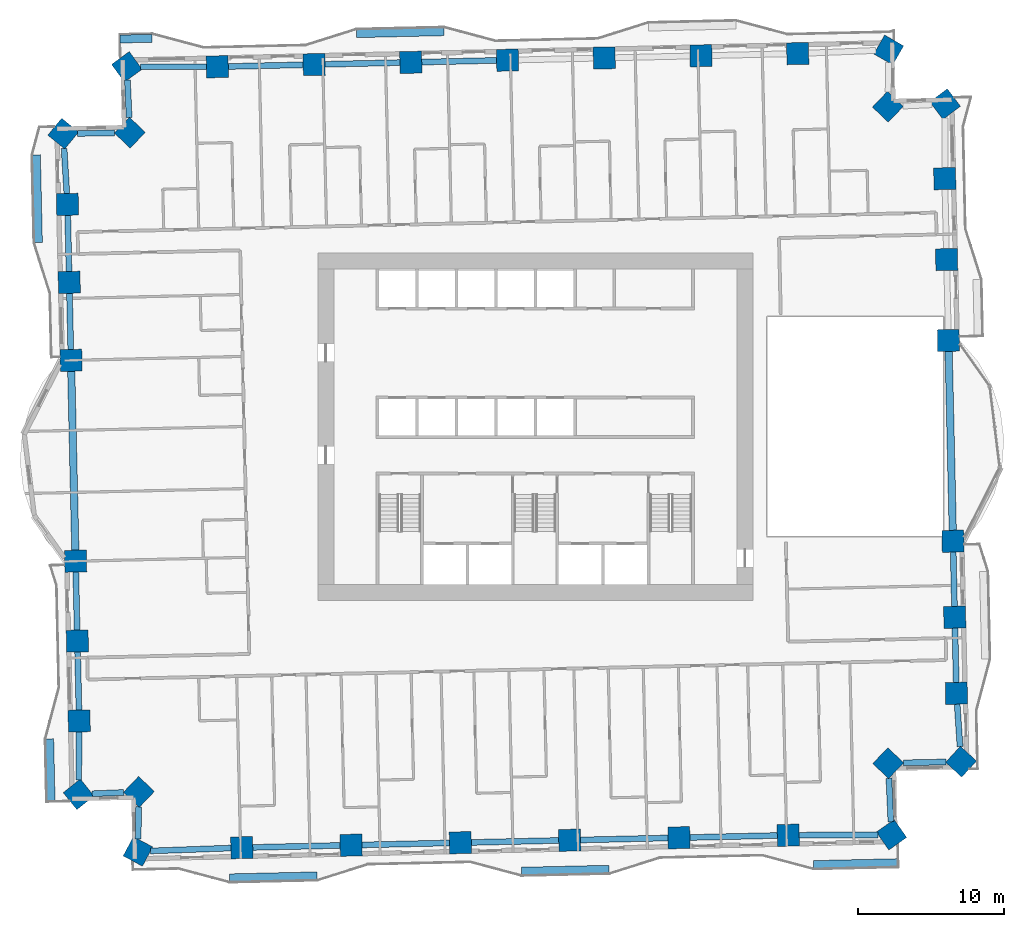
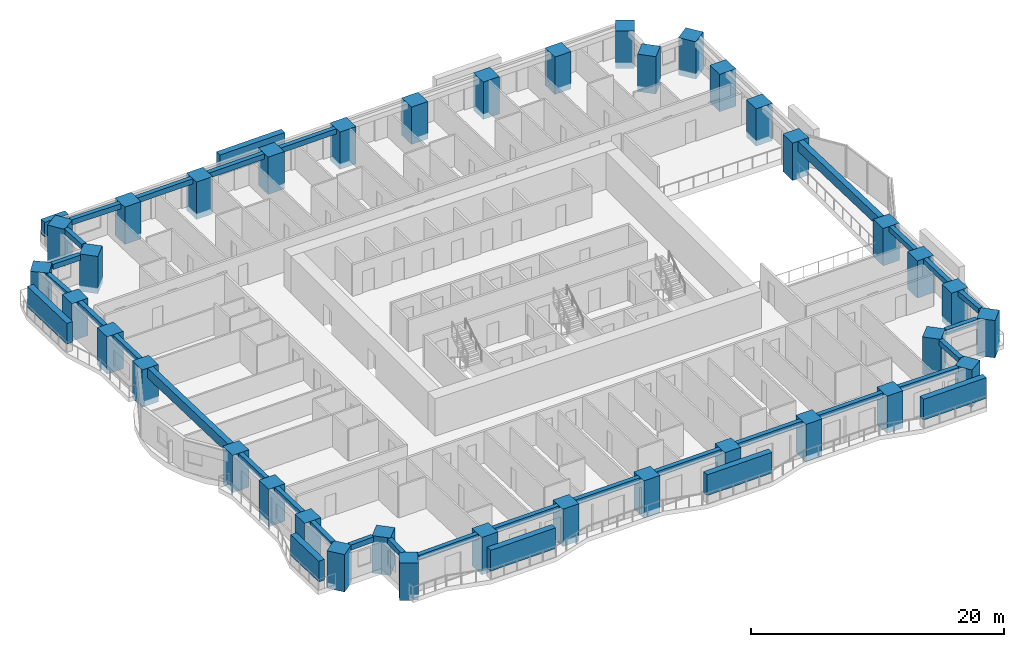
# One storey, part 1 of 16: 37 columns, 28 beams, 7 members.
"""IFC4 building model written with IfcOpenShell, lengths in metres."""

from ifc_helpers import new_model, si_unit, direction, frame, origin, origin_2d, place, context, subcontext, project, spatial, rectangle, extrude, material, material_profile, profile_set, type_object, element, save


model = new_model("IFC4")

# Units and contexts
model_context = context("Model", 3, precision=1e-05, world=origin(), true_north=direction((0.0, 1.0)))
body_context = subcontext(model_context, "Body", "Model", "MODEL_VIEW")
ifc_project = project(units=[si_unit("LENGTHUNIT", "METRE"), si_unit("AREAUNIT", "SQUARE_METRE"), si_unit("VOLUMEUNIT", "CUBIC_METRE"), si_unit("PLANEANGLEUNIT", "RADIAN"), si_unit("MASSUNIT", "GRAM", prefix="KILO")], contexts=[model_context])

# Site, building, storey
site_placement = place(None, origin())
site = spatial("IfcSite", under=ifc_project, at=site_placement, CompositionType="ELEMENT")
building_placement = place(site_placement, origin())
building = spatial("IfcBuilding", under=site, at=building_placement, Name="Mangrove Gate Tower", CompositionType="ELEMENT")
storey_placement = place(building_placement, frame((0.0, 0.0, 48.5)))
storey = spatial("IfcBuildingStorey", under=building, at=storey_placement, Name="L11", CompositionType="ELEMENT", Elevation=48.5)

# Columns
ifc_material_1 = material(Name="Concrete C70/85", Category="concrete")
ifc_material_profile_1 = material_profile(ifc_material_1, rectangle(XDim=1.5, YDim=1.5, at=origin_2d()))
ifc_profile_set_1 = profile_set([ifc_material_profile_1], Name="Concrete C70/85")
column_type = type_object("IfcColumnType", Name="Column RC 1500x1500 C70/85", PredefinedType="COLUMN", material=ifc_profile_set_1)
for number, where, z_axis, x_axis, name in (
    (1, (-31.486083984375, -9.205078125, -0.550048828125), (0.0, 0.0, 1.0), (0.022677684385, -0.999742828247, 0.0), "Column L11 W06"),
    (2, (-31.3623046875, -14.678955078125, -0.550048828125), (0.0, 0.0, 1.0), (0.022648789156, -0.999743483274, 0.0), "Column L11 W07"),
    (3, (-31.23828125, -20.15185546875, -0.550048828125), (0.0, 0.0, 1.0), (0.022740081264, -0.999741410918, 0.0), "Column L11 W08"),
    (4, (-31.2783203125, -25.173095703125, -0.550048828125), (0.0, 0.0, 1.0), (0.626513761853, -0.779410358033, 0.0), "Column L11 W09"),
    (5, (-27.14697265625, -25.004638671875, -0.550048828125), (0.0, 0.0, 1.0), (0.723003777622, -0.690844076144, 0.0), "Column L11 W10"),
    (6, (-27.217041015625, -29.083740234375, -0.550048828125), (0.0, 0.0, 1.0), (0.88296485665, -0.469439092877, 0.0), "Column L11 S01"),
    (7, (-20.10205078125, -28.8271484375, -0.550048828125), (0.0, 0.0, 1.0), (0.999743591179, 0.022644025629, 0.0), "Column L11 S02"),
    (8, (-12.619140625, -28.6572265625, -0.550048828125), (0.0, 0.0, 1.0), (0.999742076866, 0.022710784754, 0.0), "Column L11 S03"),
    (9, (-5.135009765625, -28.4873046875, -0.550048828125), (0.0, 0.0, 1.0), (0.999742111349, 0.022709266709, 0.0), "Column L11 S04"),
    (10, (2.348876953125, -28.317138671875, -0.550048828125), (0.0, 0.0, 1.0), (0.999742111349, 0.022709266709, 0.0), "Column L11 S05"),
    (11, (9.8330078125, -28.147216796875, -0.550048828125), (0.0, 0.0, 1.0), (0.999742076866, 0.022710784754, 0.0), "Column L11 S06"),
    (12, (17.31591796875, -27.977294921875, -0.550048828125), (0.0, 0.0, 1.0), (0.999743591179, 0.022644025629, 0.0), "Column L11 S07"),
    (13, (24.386474609375, -27.94384765625, -0.550048828125), (0.0, 0.0, 1.0), (0.818798537757, 0.574080965166, 0.0), "Column L11 S08"),
    (14, (24.161865234375, -23.040771484375, -0.550048828125), (0.0, 0.0, 1.0), (0.690875836988, 0.722973428188, 0.0), "Column L11 E01"),
    (15, (29.150390625, -22.93798828125, -0.550048828125), (0.0, 0.0, 1.0), (0.675975496551, 0.736924099255, 0.0), "Column L11 E02"),
    (16, (28.834228515625, -18.256103515625, -0.550048828125), (0.0, 0.0, 1.0), (-0.022754110081, 0.99974109172, 0.0), "Column L11 E03"),
    (17, (28.71630859375, -13.049072265625, -0.550048828125), (0.0, 0.0, 1.0), (-0.022655978068, 0.999743320387, 0.0), "Column L11 E04"),
    (18, (28.59814453125, -7.842041015625, -0.550048828125), (0.0, 0.0, 1.0), (-0.022680668131, 0.999742760561, 0.0), "Column L11 E05"),
    (19, (28.2861328125, 5.905029296875, -0.550048828125), (0.0, 0.0, 1.0), (-0.022703735442, 0.999742236978, 0.0), "Column L11 E06"),
    (20, (28.16015625, 11.445068359375, -0.550048828125), (0.0, 0.0, 1.0), (-0.022645578574, 0.999743556004, 0.0), "Column L11 E07"),
    (21, (28.03515625, 16.986083984375, -0.550048828125), (0.0, 0.0, 1.0), (-0.022645578574, 0.999743556004, 0.0), "Column L11 E08"),
    (22, (28.06103515625, 22.09033203125, -0.550048828125), (0.0, 0.0, 1.0), (-0.60357593887, 0.797305516109, 0.0), "Column L11 E09"),
    (23, (24.141845703125, 21.90966796875, -0.550048828125), (0.0, 0.0, 1.0), (-0.723010312757, 0.690837236726, 0.0), "Column L11 E10"),
    (24, (24.196044921875, 25.80029296875, -0.550048828125), (0.0, 0.0, 1.0), (-0.867550504106, 0.497349095531, 0.0), "Column L11 N01"),
    (25, (17.963134765625, 25.55126953125, -0.550048828125), (0.0, 0.0, 1.0), (-0.999741913532, -0.022717973655, 0.0), "Column L11 N02"),
    (26, (11.340087890625, 25.400146484375, -0.550048828125), (0.0, 0.0, 1.0), (-0.999741952388, -0.022716263674, 0.0), "Column L11 N03"),
    (27, (4.716064453125, 25.250244140625, -0.550048828125), (0.0, 0.0, 1.0), (-0.999743663498, -0.022640832496, 0.0), "Column L11 N04"),
    (28, (-1.906982421875, 25.10009765625, -0.550048828125), (0.0, 0.0, 1.0), (-0.999741913532, -0.022717973655, 0.0), "Column L11 N05"),
    (29, (-8.530029296875, 24.94921875, -0.550048828125), (0.0, 0.0, 1.0), (-0.999741952388, -0.022716263674, 0.0), "Column L11 N06"),
    (30, (-15.154052734375, 24.799072265625, -0.550048828125), (0.0, 0.0, 1.0), (-0.999743663498, -0.022640832496, 0.0), "Column L11 N07"),
    (31, (-21.777099609375, 24.649169921875, -0.550048828125), (0.0, 0.0, 1.0), (-0.999743624771, -0.02264254248, 0.0), "Column L11 N08"),
    (32, (-27.975341796875, 24.642822265625, -0.550048828125), (0.0, 0.0, 1.0), (-0.808269368168, -0.588812897686, 0.0), "Column L11 N09"),
    (33, (-27.770751953125, 20.1318359375, -0.550048828125), (0.0, 0.0, 1.0), (-0.690863130287, -0.722985570541, 0.0), "Column L11 W01"),
    (34, (-32.332763671875, 20.068603515625, -0.550048828125), (0.0, 0.0, 1.0), (-0.63510539695, -0.772425488164, 0.0), "Column L11 W02"),
    (35, (-32.040283203125, 15.22216796875, -0.550048828125), (0.0, 0.0, 1.0), (0.022746921185, -0.999741255314, 0.0), "Column L11 W03"),
    (36, (-31.919189453125, 9.882080078125, -0.550048828125), (0.0, 0.0, 1.0), (0.022653360746, -0.999743379696, 0.0), "Column L11 W04"),
    (37, (-31.798095703125, 4.5419921875, -0.550048828125), (0.0, 0.0, 1.0), (0.022679760793, -0.999742781144, 0.0), "Column L11 W05"),
):
    element("IfcColumn", number, at=place(storey_placement, frame(where, z_axis=z_axis, x_axis=x_axis)), inside=storey, type_object=column_type, Name=name, PredefinedType="COLUMN", context=body_context, shape_type="SweptSolid", body=[
        extrude(rectangle(XDim=1.5, YDim=1.5, at=origin_2d()), origin(), (0.0, 0.0, 1.0), 3.60009765625),
    ])

# Members
ifc_material_2 = material(Name="Planting on aluminium trellis", Category="aluminium")
ifc_material_profile_2 = material_profile(ifc_material_2, rectangle(XDim=0.550048828125, YDim=1.39990234375, at=origin_2d()))
ifc_profile_set_2 = profile_set([ifc_material_profile_2], Name="Planting on aluminium trellis")
member_type_1 = type_object("IfcMemberType", Name="Balcony greenery screen 550x1400", PredefinedType="USERDEFINED", material=ifc_profile_set_2)
member_1_placement = place(storey_placement, frame((-28.446044921875, 26.548095703125, 1.5), z_axis=(0.999743608889, 0.022643243723, 0.0), x_axis=(-0.022643243723, 0.999743608889, 0.0)))
element("IfcMember", 38, at=member_1_placement, inside=storey, type_object=member_type_1, Name="GREEN SCREEN L11 N1.1", ObjectType="PLANTING", PredefinedType="USERDEFINED", context=body_context, shape_type="SweptSolid", body=[
    extrude(rectangle(XDim=0.550048828125, YDim=1.39990234375, at=origin_2d()), origin(), (0.0, 0.0, 1.0), 2.199462890625),
])
ifc_material_3 = material(Name="Planting on aluminium trellis", Category="aluminium")
ifc_material_profile_3 = material_profile(ifc_material_3, rectangle(XDim=0.550048828125, YDim=2.0, at=origin_2d()))
ifc_profile_set_3 = profile_set([ifc_material_profile_3], Name="Planting on aluminium trellis")
member_type_2 = type_object("IfcMemberType", Name="Balcony greenery screen 550x2000", PredefinedType="USERDEFINED", material=ifc_profile_set_3)
member_2_placement = place(storey_placement, frame((-12.25, 26.9150390625, 1.800048828125), z_axis=(0.999743094499, 0.022665943652, 0.0), x_axis=(-0.022665943652, 0.999743094499, 0.0)))
element("IfcMember", 39, at=member_2_placement, inside=storey, type_object=member_type_2, Name="GREEN SCREEN L11 N1.2", ObjectType="PLANTING", PredefinedType="USERDEFINED", context=body_context, shape_type="SweptSolid", body=[
    extrude(rectangle(XDim=0.550048828125, YDim=2.0, at=origin_2d()), origin(), (0.0, 0.0, 1.0), 5.99951171875),
])
member_3_placement = place(storey_placement, frame((-34.031982421875, 12.617919921875, 1.800048828125), z_axis=(-0.022662255828, 0.999743178102, 0.0), x_axis=(-0.999743178102, -0.022662255828, 0.0)))
element("IfcMember", 40, at=member_3_placement, inside=storey, type_object=member_type_2, Name="GREEN SCREEN L11 W0.1", ObjectType="PLANTING", PredefinedType="USERDEFINED", context=body_context, shape_type="SweptSolid", body=[
    extrude(rectangle(XDim=0.550048828125, YDim=2.0, at=origin_2d()), origin(), (0.0, 0.0, 1.0), 6.00048828125),
])
member_4_placement = place(storey_placement, frame((-33.1630859375, -25.672119140625, 1.800048828125), z_axis=(-0.022539561751, 0.999745951808, 0.0), x_axis=(-0.999745951808, -0.022539561751, 0.0)))
element("IfcMember", 41, at=member_4_placement, inside=storey, type_object=member_type_2, Name="GREEN SCREEN L11 W1.1", ObjectType="PLANTING", PredefinedType="USERDEFINED", context=body_context, shape_type="SweptSolid", body=[
    extrude(rectangle(XDim=0.550048828125, YDim=2.0, at=origin_2d()), origin(), (0.0, 0.0, 1.0), 4.300048828125),
])
member_5_placement = place(storey_placement, frame((-20.94189453125, -30.89599609375, 1.800048828125), z_axis=(0.999743157205, 0.022663177671, 0.0), x_axis=(-0.022663177671, 0.999743157205, 0.0)))
element("IfcMember", 42, at=member_5_placement, inside=storey, type_object=member_type_2, Name="GREEN SCREEN L11 S0.1", ObjectType="PLANTING", PredefinedType="USERDEFINED", context=body_context, shape_type="SweptSolid", body=[
    extrude(rectangle(XDim=0.550048828125, YDim=2.0, at=origin_2d()), origin(), (0.0, 0.0, 1.0), 6.000244140625),
])
member_6_placement = place(storey_placement, frame((-0.947021484375, -30.44189453125, 1.800048828125), z_axis=(0.999743094499, 0.022665943652, 0.0), x_axis=(-0.022665943652, 0.999743094499, 0.0)))
element("IfcMember", 43, at=member_6_placement, inside=storey, type_object=member_type_2, Name="GREEN SCREEN L11 S1.1", ObjectType="PLANTING", PredefinedType="USERDEFINED", context=body_context, shape_type="SweptSolid", body=[
    extrude(rectangle(XDim=0.550048828125, YDim=2.0, at=origin_2d()), origin(), (0.0, 0.0, 1.0), 5.99951171875),
])
member_7_placement = place(storey_placement, frame((19.048095703125, -29.988037109375, 1.800048828125), z_axis=(0.999744436995, 0.02260665162, 0.0), x_axis=(-0.02260665162, 0.999744436995, 0.0)))
element("IfcMember", 44, at=member_7_placement, inside=storey, type_object=member_type_2, Name="GREEN SCREEN L11 S1.2", ObjectType="PLANTING", PredefinedType="USERDEFINED", context=body_context, shape_type="SweptSolid", body=[
    extrude(rectangle(XDim=0.550048828125, YDim=2.0, at=origin_2d()), origin(), (0.0, 0.0, 1.0), 5.79931640625),
])

# Beams
ifc_material_4 = material(Name="Concrete C50/60", Category="concrete")
ifc_material_profile_4 = material_profile(ifc_material_4, rectangle(XDim=0.39990234375, YDim=0.5, at=origin_2d()))
ifc_profile_set_4 = profile_set([ifc_material_profile_4], Name="Concrete C50/60")
beam_type_1 = type_object("IfcBeamType", Name="Edge beam RC 400x500 C50/60", PredefinedType="BEAM", material=ifc_profile_set_4)
beam_1_placement = place(storey_placement, frame((-31.46923828125, -9.954833984375, 2.800048828125), z_axis=(0.022661418989, -0.999743197071, 0.0), x_axis=(0.999743197071, 0.022661418989, 0.0)))
element("IfcBeam", 45, at=beam_1_placement, inside=storey, type_object=beam_type_1, Name="Edge beam L11 00", PredefinedType="BEAM", context=body_context, shape_type="SweptSolid", body=[
    extrude(rectangle(XDim=0.39990234375, YDim=0.5, at=origin_2d()), origin(), (0.0, 0.0, 1.0), 3.975341796875),
])
beam_2_placement = place(storey_placement, frame((-31.34521484375, -15.4287109375, 2.800048828125), z_axis=(0.022666985754, -0.999743070872, 0.0), x_axis=(0.999743070872, 0.022666985754, 0.0)))
element("IfcBeam", 46, at=beam_2_placement, inside=storey, type_object=beam_type_1, Name="Edge beam L11 01", PredefinedType="BEAM", context=body_context, shape_type="SweptSolid", body=[
    extrude(rectangle(XDim=0.39990234375, YDim=0.5, at=origin_2d()), origin(), (0.0, 0.0, 1.0), 3.974365234375),
])
beam_3_placement = place(storey_placement, frame((-31.244140625, -20.90234375, 2.800048828125), z_axis=(-0.008058292247, -0.999967531436, 0.0), x_axis=(0.999967531436, -0.008058292247, 0.0)))
element("IfcBeam", 47, at=beam_3_placement, inside=storey, type_object=beam_type_1, Name="Edge beam L11 02", PredefinedType="BEAM", context=body_context, shape_type="SweptSolid", body=[
    extrude(rectangle(XDim=0.39990234375, YDim=0.5, at=origin_2d()), origin(), (0.0, 0.0, 1.0), 3.30224609375),
])
beam_4_placement = place(storey_placement, frame((-30.3466796875, -25.13525390625, 2.800048828125), z_axis=(0.99916758317, 0.040793881195, 0.0), x_axis=(-0.040793881195, 0.99916758317, 0.0)))
element("IfcBeam", 48, at=beam_4_placement, inside=storey, type_object=beam_type_1, Name="Edge beam L11 03", PredefinedType="BEAM", context=body_context, shape_type="SweptSolid", body=[
    extrude(rectangle(XDim=0.39990234375, YDim=0.5, at=origin_2d()), origin(), (0.0, 0.0, 1.0), 2.160400390625),
])
beam_5_placement = place(storey_placement, frame((-27.164306640625, -26.025390625, 2.800048828125), z_axis=(-0.017179973178, -0.99985241337, 0.0), x_axis=(0.99985241337, -0.017179973178, 0.0)))
element("IfcBeam", 49, at=beam_5_placement, inside=storey, type_object=beam_type_1, Name="Edge beam L11 04", PredefinedType="BEAM", context=body_context, shape_type="SweptSolid", body=[
    extrude(rectangle(XDim=0.39990234375, YDim=0.5, at=origin_2d()), origin(), (0.0, 0.0, 1.0), 2.216796875),
])
beam_6_placement = place(storey_placement, frame((-26.350830078125, -29.052490234375, 2.800048828125), z_axis=(0.999350873357, 0.036025434369, 0.0), x_axis=(-0.036025434369, 0.999350873357, 0.0)))
element("IfcBeam", 50, at=beam_6_placement, inside=storey, type_object=beam_type_1, Name="Edge beam L11 05", PredefinedType="BEAM", context=body_context, shape_type="SweptSolid", body=[
    extrude(rectangle(XDim=0.39990234375, YDim=0.5, at=origin_2d()), origin(), (0.0, 0.0, 1.0), 5.5029296875),
])
beam_7_placement = place(storey_placement, frame((-19.352294921875, -28.81005859375, 2.800048828125), z_axis=(0.999742761337, 0.022680633887, 0.0), x_axis=(-0.022680633887, 0.999742761337, 0.0)))
element("IfcBeam", 51, at=beam_7_placement, inside=storey, type_object=beam_type_1, Name="Edge beam L11 06", PredefinedType="BEAM", context=body_context, shape_type="SweptSolid", body=[
    extrude(rectangle(XDim=0.39990234375, YDim=0.5, at=origin_2d()), origin(), (0.0, 0.0, 1.0), 5.98486328125),
])
for number, where, z_axis, x_axis, name in (
    (52, (-11.869140625, -28.64013671875, 2.800048828125), (0.999741919763, 0.022717699466, 0.0), (-0.022717699466, 0.999741919763, 0.0), "Edge beam L11 07"),
    (53, (-4.38525390625, -28.47021484375, 2.800048828125), (0.999741919763, 0.022717699466, 0.0), (-0.022717699466, 0.999741919763, 0.0), "Edge beam L11 08"),
    (54, (3.098876953125, -28.300048828125, 2.800048828125), (0.999742845253, 0.022676934643, 0.0), (-0.022676934643, 0.999742845253, 0.0), "Edge beam L11 09"),
):
    element("IfcBeam", number, at=place(storey_placement, frame(where, z_axis=z_axis, x_axis=x_axis)), inside=storey, type_object=beam_type_1, Name=name, PredefinedType="BEAM", context=body_context, shape_type="SweptSolid", body=[
        extrude(rectangle(XDim=0.39990234375, YDim=0.5, at=origin_2d()), origin(), (0.0, 0.0, 1.0), 5.98583984375),
    ])
beam_8_placement = place(storey_placement, frame((10.582763671875, -28.130126953125, 2.800048828125), z_axis=(0.999741835545, 0.022721405353, 0.0), x_axis=(-0.022721405353, 0.999741835545, 0.0)))
element("IfcBeam", 55, at=beam_8_placement, inside=storey, type_object=beam_type_1, Name="Edge beam L11 10", PredefinedType="BEAM", context=body_context, shape_type="SweptSolid", body=[
    extrude(rectangle(XDim=0.39990234375, YDim=0.5, at=origin_2d()), origin(), (0.0, 0.0, 1.0), 5.98486328125),
])
beam_9_placement = place(storey_placement, frame((18.066162109375, -27.9736328125, 2.800048828125), z_axis=(0.99998897546, 0.004695631815, 0.0), x_axis=(-0.004695631815, 0.99998897546, 0.0)))
element("IfcBeam", 56, at=beam_9_placement, inside=storey, type_object=beam_type_1, Name="Edge beam L11 11", PredefinedType="BEAM", context=body_context, shape_type="SweptSolid", body=[
    extrude(rectangle(XDim=0.39990234375, YDim=0.5, at=origin_2d()), origin(), (0.0, 0.0, 1.0), 5.4072265625),
])
beam_10_placement = place(storey_placement, frame((24.345703125, -27.056396484375, 2.800048828125), z_axis=(-0.045752937925, 0.998952786007, 0.0), x_axis=(-0.998952786007, -0.045752937925, 0.0)))
element("IfcBeam", 57, at=beam_10_placement, inside=storey, type_object=beam_type_1, Name="Edge beam L11 12", PredefinedType="BEAM", context=body_context, shape_type="SweptSolid", body=[
    extrude(rectangle(XDim=0.39990234375, YDim=0.5, at=origin_2d()), origin(), (0.0, 0.0, 1.0), 2.98291015625),
])
beam_11_placement = place(storey_placement, frame((25.219970703125, -23.01904296875, 2.800048828125), z_axis=(0.999788078566, 0.020586353685, 0.0), x_axis=(-0.020586353685, 0.999788078566, 0.0)))
element("IfcBeam", 58, at=beam_11_placement, inside=storey, type_object=beam_type_1, Name="Edge beam L11 13", PredefinedType="BEAM", context=body_context, shape_type="SweptSolid", body=[
    extrude(rectangle(XDim=0.39990234375, YDim=0.5, at=origin_2d()), origin(), (0.0, 0.0, 1.0), 2.893798828125),
])
beam_12_placement = place(storey_placement, frame((29.08056640625, -21.904541015625, 2.800048828125), z_axis=(-0.067377693501, 0.997727541175, 0.0), x_axis=(-0.997727541175, -0.067377693501, 0.0)))
element("IfcBeam", 59, at=beam_12_placement, inside=storey, type_object=beam_type_1, Name="Edge beam L11 14", PredefinedType="BEAM", context=body_context, shape_type="SweptSolid", body=[
    extrude(rectangle(XDim=0.39990234375, YDim=0.5, at=origin_2d()), origin(), (0.0, 0.0, 1.0), 2.906005859375),
])
beam_13_placement = place(storey_placement, frame((28.817138671875, -17.50634765625, 2.800048828125), z_axis=(-0.022646633415, 0.99974353211, 0.0), x_axis=(-0.99974353211, -0.022646633415, 0.0)))
element("IfcBeam", 60, at=beam_13_placement, inside=storey, type_object=beam_type_1, Name="Edge beam L11 15", PredefinedType="BEAM", context=body_context, shape_type="SweptSolid", body=[
    extrude(rectangle(XDim=0.39990234375, YDim=0.5, at=origin_2d()), origin(), (0.0, 0.0, 1.0), 3.70849609375),
])
beam_14_placement = place(storey_placement, frame((28.69921875, -12.299072265625, 2.800048828125), z_axis=(-0.022648124032, 0.999743498342, 0.0), x_axis=(-0.999743498342, -0.022648124032, 0.0)))
element("IfcBeam", 61, at=beam_14_placement, inside=storey, type_object=beam_type_1, Name="Edge beam L11 16", PredefinedType="BEAM", context=body_context, shape_type="SweptSolid", body=[
    extrude(rectangle(XDim=0.39990234375, YDim=0.5, at=origin_2d()), origin(), (0.0, 0.0, 1.0), 3.708251953125),
])
beam_15_placement = place(storey_placement, frame((-2.65673828125, 25.0830078125, 2.800048828125), z_axis=(-0.999740702985, -0.022771183457, 0.0), x_axis=(0.022771183457, -0.999740702985, 0.0)))
element("IfcBeam", 62, at=beam_15_placement, inside=storey, type_object=beam_type_1, Name="Edge beam L11 27", PredefinedType="BEAM", context=body_context, shape_type="SweptSolid", body=[
    extrude(rectangle(XDim=0.39990234375, YDim=0.5, at=origin_2d()), origin(), (0.0, 0.0, 1.0), 5.124755859375),
])
beam_16_placement = place(storey_placement, frame((-9.27978515625, 24.93212890625, 2.800048828125), z_axis=(-0.999744043843, -0.022624031483, 0.0), x_axis=(0.022624031483, -0.999744043843, 0.0)))
element("IfcBeam", 63, at=beam_16_placement, inside=storey, type_object=beam_type_1, Name="Edge beam L11 28", PredefinedType="BEAM", context=body_context, shape_type="SweptSolid", body=[
    extrude(rectangle(XDim=0.39990234375, YDim=0.5, at=origin_2d()), origin(), (0.0, 0.0, 1.0), 5.125732421875),
])
beam_17_placement = place(storey_placement, frame((-15.90380859375, 24.7822265625, 2.800048828125), z_axis=(-0.999743921904, -0.022629419247, 0.0), x_axis=(0.022629419247, -0.999743921904, 0.0)))
element("IfcBeam", 64, at=beam_17_placement, inside=storey, type_object=beam_type_1, Name="Edge beam L11 29", PredefinedType="BEAM", context=body_context, shape_type="SweptSolid", body=[
    extrude(rectangle(XDim=0.39990234375, YDim=0.5, at=origin_2d()), origin(), (0.0, 0.0, 1.0), 5.12451171875),
])
beam_18_placement = place(storey_placement, frame((-22.527099609375, 24.6484375, 2.800048828125), z_axis=(-0.999999473633, -0.001026028189, 0.0), x_axis=(0.001026028189, -0.999999473633, 0.0)))
element("IfcBeam", 65, at=beam_18_placement, inside=storey, type_object=beam_type_1, Name="Edge beam L11 30", PredefinedType="BEAM", context=body_context, shape_type="SweptSolid", body=[
    extrude(rectangle(XDim=0.39990234375, YDim=0.5, at=origin_2d()), origin(), (0.0, 0.0, 1.0), 4.52099609375),
])
beam_19_placement = place(storey_placement, frame((-27.9345703125, 23.74462890625, 2.800048828125), z_axis=(0.045248783109, -0.998975749269, 0.0), x_axis=(0.998975749269, 0.045248783109, 0.0)))
element("IfcBeam", 66, at=beam_19_placement, inside=storey, type_object=beam_type_1, Name="Edge beam L11 31", PredefinedType="BEAM", context=body_context, shape_type="SweptSolid", body=[
    extrude(rectangle(XDim=0.39990234375, YDim=0.5, at=origin_2d()), origin(), (0.0, 0.0, 1.0), 2.5791015625),
])
beam_20_placement = place(storey_placement, frame((-28.822021484375, 20.1171875, 2.800048828125), z_axis=(-0.9999046958, -0.013805771121, 0.0), x_axis=(0.013805771121, -0.9999046958, 0.0)))
element("IfcBeam", 67, at=beam_20_placement, inside=storey, type_object=beam_type_1, Name="Edge beam L11 32", PredefinedType="BEAM", context=body_context, shape_type="SweptSolid", body=[
    extrude(rectangle(XDim=0.39990234375, YDim=0.5, at=origin_2d()), origin(), (0.0, 0.0, 1.0), 2.52880859375),
])
beam_21_placement = place(storey_placement, frame((-32.27099609375, 19.047119140625, 2.800048828125), z_axis=(0.060212796907, -0.998185563454, 0.0), x_axis=(0.998185563454, 0.060212796907, 0.0)))
element("IfcBeam", 68, at=beam_21_placement, inside=storey, type_object=beam_type_1, Name="Edge beam L11 33", PredefinedType="BEAM", context=body_context, shape_type="SweptSolid", body=[
    extrude(rectangle(XDim=0.39990234375, YDim=0.5, at=origin_2d()), origin(), (0.0, 0.0, 1.0), 3.08154296875),
])
for number, where, z_axis, x_axis, name in (
    (69, (-32.023193359375, 14.47216796875, 2.800048828125), (0.022626119694, -0.999743996585, 0.0), (0.999743996585, 0.022626119694, 0.0), "Edge beam L11 34"),
    (70, (-31.902099609375, 9.132080078125, 2.800048828125), (0.022626119694, -0.999743996585, 0.0), (0.999743996585, 0.022626119694, 0.0), "Edge beam L11 35"),
):
    element("IfcBeam", number, at=place(storey_placement, frame(where, z_axis=z_axis, x_axis=x_axis)), inside=storey, type_object=beam_type_1, Name=name, PredefinedType="BEAM", context=body_context, shape_type="SweptSolid", body=[
        extrude(rectangle(XDim=0.39990234375, YDim=0.5, at=origin_2d()), origin(), (0.0, 0.0, 1.0), 3.84130859375),
    ])
ifc_material_5 = material(Name="Concrete C50/60", Category="concrete")
ifc_material_profile_5 = material_profile(ifc_material_5, rectangle(XDim=0.5, YDim=0.949951171875, at=origin_2d()))
ifc_profile_set_5 = profile_set([ifc_material_profile_5], Name="Concrete C50/60")
beam_type_2 = type_object("IfcBeamType", Name="Edge beam RC 500x950 C50/60", PredefinedType="BEAM", material=ifc_profile_set_5)
beam_22_placement = place(storey_placement, frame((28.5810546875, -7.09228515625, 2.574951171875), z_axis=(-0.022678852378, 0.999742801752, 0.0), x_axis=(-0.999742801752, -0.022678852378, 0.0)))
element("IfcBeam", 71, at=beam_22_placement, inside=storey, type_object=beam_type_2, Name="Edge beam L11 17", PredefinedType="BEAM", context=body_context, shape_type="SweptSolid", body=[
    extrude(rectangle(XDim=0.5, YDim=0.949951171875, at=origin_2d()), origin(), (0.0, 0.0, 1.0), 12.250732421875),
])
beam_23_placement = place(storey_placement, frame((-31.78125, 3.792236328125, 2.574951171875), z_axis=(0.022699223056, -0.999742339442, 0.0), x_axis=(0.999742339442, 0.022699223056, 0.0)))
element("IfcBeam", 72, at=beam_23_placement, inside=storey, type_object=beam_type_2, Name="Edge beam L11 36", PredefinedType="BEAM", context=body_context, shape_type="SweptSolid", body=[
    extrude(rectangle(XDim=0.5, YDim=0.949951171875, at=origin_2d()), origin(), (0.0, 0.0, 1.0), 12.25048828125),
])

save(model, "model.ifc")
